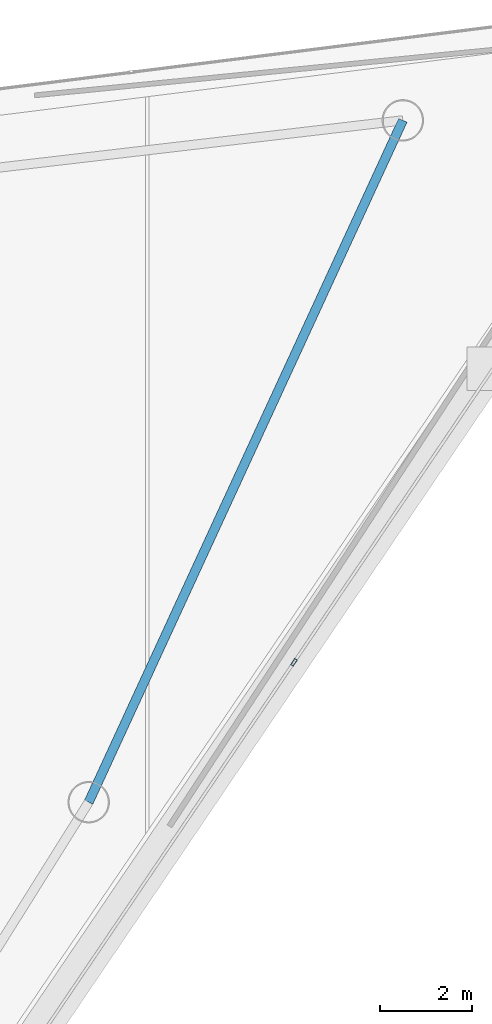
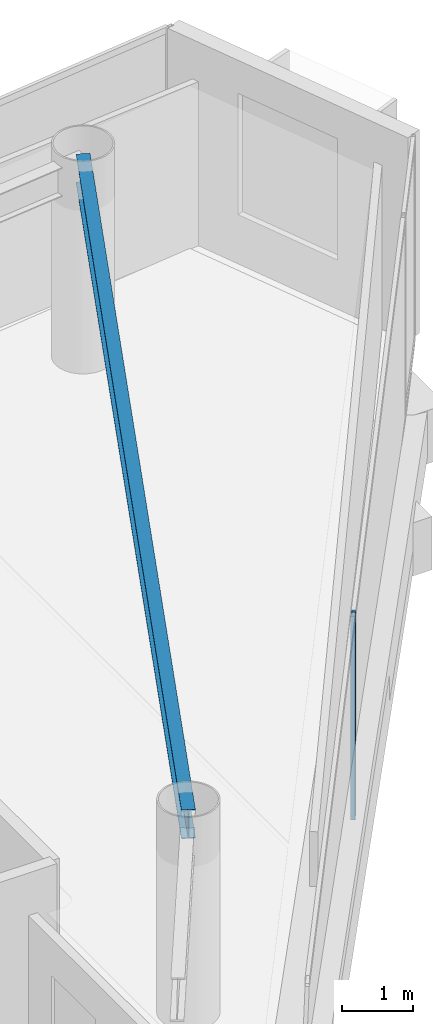
# One storey, part 13 of 23: 1 beam, 1 member, 1 element without a shape of its own.
"""IFC4 building model written with IfcOpenShell, lengths in metres."""

from ifc_helpers import new_model, si_unit, direction, frame, origin, origin_2d, place, context, subcontext, project, spatial, hollow_rectangle, i_section, extrude, material, layer, layer_set, material_profile, profile_set, type_object, element, aggregate, save


model = new_model("IFC4")

# Units and contexts
model_context = context("Model", 3, precision=1e-05, world=origin(), true_north=direction((0.0, 1.0)))
body_context = subcontext(model_context, "Body", "Model", "MODEL_VIEW")
ifc_project = project(units=[si_unit("LENGTHUNIT", "METRE"), si_unit("AREAUNIT", "SQUARE_METRE"), si_unit("VOLUMEUNIT", "CUBIC_METRE"), si_unit("PLANEANGLEUNIT", "RADIAN"), si_unit("MASSUNIT", "GRAM", prefix="KILO")], contexts=[model_context])

# Site, building, storey
site_placement = place(None, origin())
site = spatial("IfcSite", under=ifc_project, at=site_placement, CompositionType="ELEMENT")
building_placement = place(site_placement, origin())
building = spatial("IfcBuilding", under=site, at=building_placement, Name="Qianvela Tower", CompositionType="ELEMENT")
storey_placement = place(building_placement, frame((0.0, 0.0, 284.300048828125)))
storey = spatial("IfcBuildingStorey", under=building, at=storey_placement, Name="L73", CompositionType="ELEMENT", Elevation=284.300048828125)

# Beam
ifc_material_1 = material(Name="Steel Q355B", Category="steel")
ifc_material_profile_1 = material_profile(ifc_material_1, i_section(OverallWidth=0.199951171875, OverallDepth=0.5, WebThickness=0.010009765625, FlangeThickness=0.01611328125, at=origin_2d()), Name="HN500x200x10x16")
ifc_profile_set_1 = profile_set([ifc_material_profile_1], Name="Steel Q355B")
beam_type = type_object("IfcBeamType", Name="BM-HN500-GIRD", PredefinedType="BEAM", material=ifc_profile_set_1)
beam_placement = place(storey_placement, frame((45.833984375, 22.344970703125, 3.26806640625), z_axis=(0.418440097712, 0.908244396969, 0.0), x_axis=(-0.908244396969, 0.418440097712, 0.0)))
element("IfcBeam", 1, at=beam_placement, inside=storey, type_object=beam_type, Name="L73 Perimeter Ring Spandrel Girder 6", PredefinedType="BEAM", context=body_context, shape_type="SweptSolid", body=[
    extrude(i_section(OverallWidth=0.199951171875, OverallDepth=0.5, WebThickness=0.010009765625, FlangeThickness=0.01611328125, at=origin_2d()), origin(), (0.0, 0.0, 1.0), 16.2841796875),
])

# Curtain wall, member
ifc_material_2 = material(Name="Anodised Architectural Aluminium and Insulated Spandrel Panel", Category="aluminium")
ifc_layer = layer(ifc_material_2, 0.179931640625)
ifc_layer_set = layer_set([ifc_layer], Name="Anodised Architectural Aluminium and Insulated Spandrel Panel")
curtain_wall_type = type_object("IfcCurtainWallType", Name="CW-BRACEBAY", PredefinedType="USERDEFINED", material=ifc_layer_set)
curtain_wall_placement = place(storey_placement, origin())
curtain_wall = element("IfcCurtainWall", 2, at=curtain_wall_placement, inside=storey, type_object=curtain_wall_type, Name="L73 CW-BRACEBAY Curtain Wall 06B", ObjectType="CURTAIN_WALL_SYSTEM", PredefinedType="USERDEFINED")
ifc_material_3 = material(Name="Anodised Architectural Aluminium 6063-T6", Category="aluminium")
ifc_material_profile_2 = material_profile(ifc_material_3, hollow_rectangle(XDim=0.06494140625, YDim=0.159912109375, WallThickness=0.0048828125, at=origin_2d()), Name="ALU-MULL-65x160")
ifc_profile_set_2 = profile_set([ifc_material_profile_2], Name="Anodised Architectural Aluminium 6063-T6")
member_type = type_object("IfcMemberType", Name="CW-BRACEBAY-MULL", PredefinedType="MULLION", material=ifc_profile_set_2)
member_placement = place(storey_placement, frame((50.28515625, 25.3779296875, 0.0), z_axis=(0.0, 0.0, 1.0), x_axis=(-0.827794797098, 0.561030991922, 0.0)))
member = element("IfcMember", 3, at=member_placement, type_object=member_type, Name="CW-9 mullion 3", PredefinedType="MULLION", context=body_context, shape_type="SweptSolid", body=[
    extrude(hollow_rectangle(XDim=0.06494140625, YDim=0.159912109375, WallThickness=0.0048828125, at=origin_2d()), origin(), (0.0, 0.0, 1.0), 3.52001953125),
])
aggregate(curtain_wall, [member])

save(model, "model.ifc")
